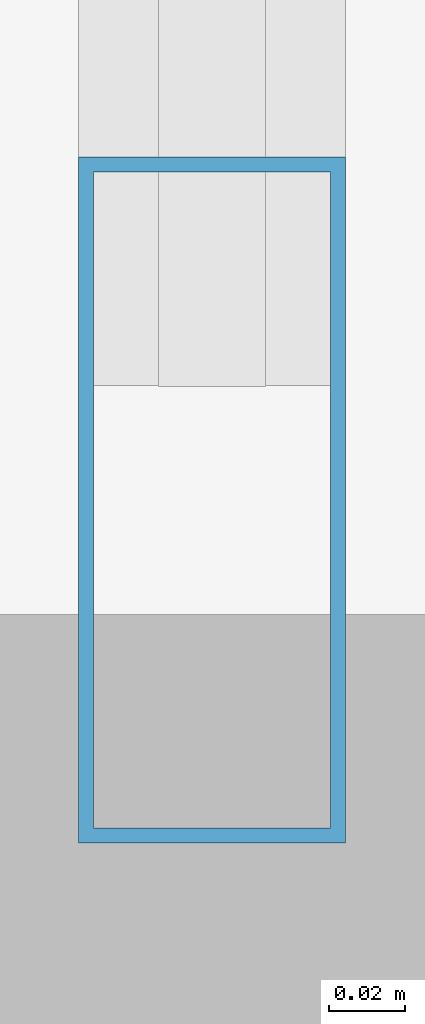
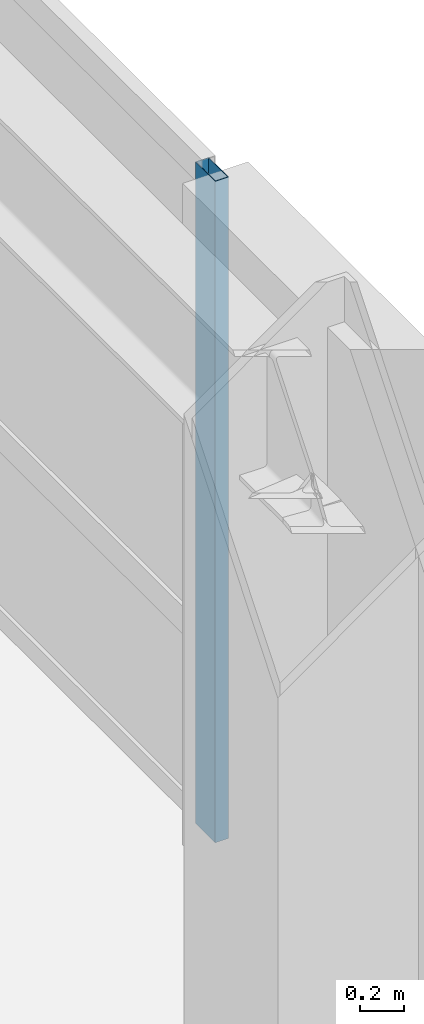
# One storey, part 11 of 29: 1 member, 1 element without a shape of its own.
"""IFC4 building model written with IfcOpenShell, lengths in metres."""

from ifc_helpers import new_model, si_unit, direction, frame, origin, origin_2d, place, context, subcontext, project, spatial, hollow_rectangle, extrude, material, layer, layer_set, material_profile, profile_set, type_object, element, aggregate, save


model = new_model("IFC4")

# Units and contexts
model_context = context("Model", 3, precision=1e-05, world=origin(), true_north=direction((0.0, 1.0)))
body_context = subcontext(model_context, "Body", "Model", "MODEL_VIEW")
ifc_project = project(units=[si_unit("LENGTHUNIT", "METRE"), si_unit("AREAUNIT", "SQUARE_METRE"), si_unit("VOLUMEUNIT", "CUBIC_METRE"), si_unit("PLANEANGLEUNIT", "RADIAN"), si_unit("MASSUNIT", "GRAM", prefix="KILO")], contexts=[model_context])

# Site, building, storey
site_placement = place(None, origin())
site = spatial("IfcSite", under=ifc_project, at=site_placement, CompositionType="ELEMENT")
building_placement = place(site_placement, origin())
building = spatial("IfcBuilding", under=site, at=building_placement, Name="Voryun Gate Residences", CompositionType="ELEMENT")
storey_placement = place(building_placement, frame((0.0, 0.0, 211.89990234375)))
storey = spatial("IfcBuildingStorey", under=building, at=storey_placement, Name="L52", CompositionType="ELEMENT", Elevation=211.89990234375)

# Curtain wall, member
ifc_material_1 = material(Name="Anodised aluminium", Category="aluminium")
ifc_layer = layer(ifc_material_1, 0.18994140625, Name="CW_SYS_RES_B_DARK_GLASS")
ifc_layer_set = layer_set([ifc_layer], Name="Anodised aluminium")
curtain_wall_type = type_object("IfcCurtainWallType", Name="CW_SYS_RES_B_DARK_GLASS", PredefinedType="NOTDEFINED", material=ifc_layer_set)
curtain_wall_placement = place(storey_placement, origin())
curtain_wall = element("IfcCurtainWall", 1, at=curtain_wall_placement, inside=storey, type_object=curtain_wall_type, Name="Curtain wall CWT-L52-16", PredefinedType="NOTDEFINED")
ifc_material_2 = material(Name="Anodised aluminium", Category="aluminium")
ifc_material_profile = material_profile(ifc_material_2, hollow_rectangle(XDim=0.070068359375, YDim=0.179931640625, WallThickness=0.00390625, at=origin_2d()), Name="ALU-MULL-180x70x4")
ifc_profile_set = profile_set([ifc_material_profile], Name="Anodised aluminium")
member_type = type_object("IfcMemberType", Name="CW_MULL_RES", PredefinedType="MULLION", material=ifc_profile_set)
member_placement = place(storey_placement, frame((30.22998046875, -4.484619140625, 0.0), z_axis=(0.0, 0.0, 1.0), x_axis=(1.0, 0.0, 0.0)))
member = element("IfcMember", 2, at=member_placement, type_object=member_type, Name="CW4 mullion 4", PredefinedType="MULLION", context=body_context, shape_type="SweptSolid", body=[
    extrude(hollow_rectangle(XDim=0.070068359375, YDim=0.179931640625, WallThickness=0.00390625, at=origin_2d()), origin(), (0.0, 0.0, 1.0), 3.650146484375),
])
aggregate(curtain_wall, [member])

save(model, "model.ifc")
